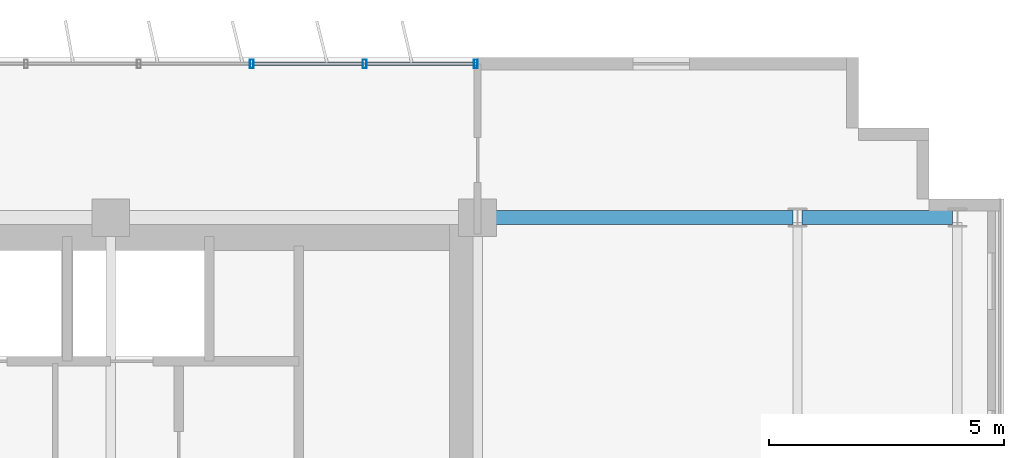
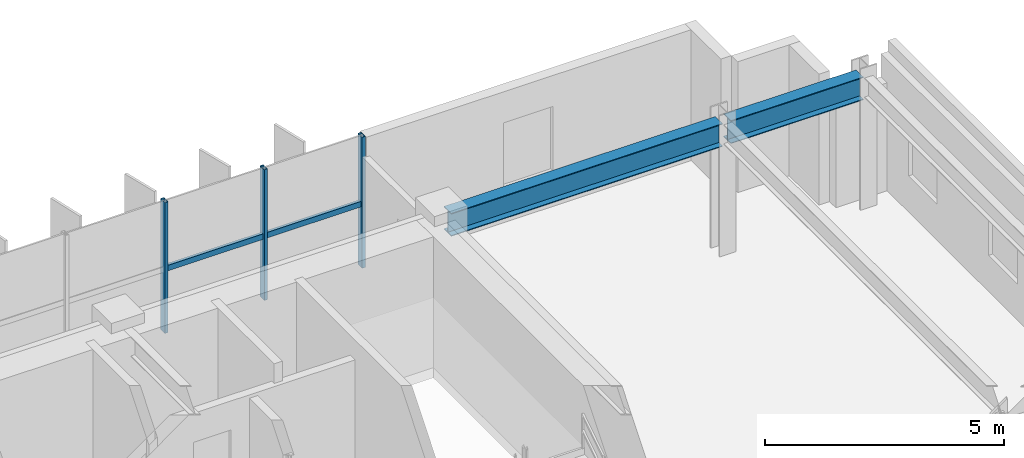
# One storey, part 11 of 21: 5 members, 2 beams, 1 element without a shape of its own.
"""IFC4 building model written with IfcOpenShell, lengths in metres."""

from ifc_helpers import new_model, si_unit, direction, frame, origin, origin_2d, place, context, subcontext, project, spatial, hollow_rectangle, i_section, extrude, source, transform, mapped, material, material_profile, profile_set, type_object, element, aggregate, save


model = new_model("IFC4")

# Units and contexts
model_context = context("Model", 3, precision=1e-05, world=origin(), true_north=direction((0.0, 1.0)))
body_context = subcontext(model_context, "Body", "Model", "MODEL_VIEW")
ifc_project = project(units=[si_unit("LENGTHUNIT", "METRE"), si_unit("AREAUNIT", "SQUARE_METRE"), si_unit("VOLUMEUNIT", "CUBIC_METRE"), si_unit("PLANEANGLEUNIT", "RADIAN"), si_unit("MASSUNIT", "GRAM", prefix="KILO")], contexts=[model_context])

# Site, building, storey
site_placement = place(None, origin())
site = spatial("IfcSite", under=ifc_project, at=site_placement, CompositionType="ELEMENT")
building_placement = place(site_placement, origin())
building = spatial("IfcBuilding", under=site, at=building_placement, Name="Trelvane Seafront Commons", CompositionType="ELEMENT")
storey_placement = place(building_placement, frame((0.0, 0.0, 110.5)))
storey = spatial("IfcBuildingStorey", under=building, at=storey_placement, Name="L28", CompositionType="ELEMENT", Elevation=110.5)

# Beams
ifc_material_1 = material(Name="Steel SM355 (S355)", Category="steel")
ifc_material_profile_1 = material_profile(ifc_material_1, i_section(OverallWidth=0.300048828125, OverallDepth=0.587890625, WebThickness=0.011962890625, FlangeThickness=0.02001953125, at=origin_2d()), Name="H-588x300x12x20")
ifc_profile_set_1 = profile_set([ifc_material_profile_1], Name="Steel SM355 (S355)")
beam_type = type_object("IfcBeamType", Name="STR-BM-H588", PredefinedType="BEAM", material=ifc_profile_set_1)
shared_shape_1 = source(origin(), body_context, "Body", "SweptSolid", [
    extrude(i_section(OverallWidth=0.300048828125, OverallDepth=0.587890625, WebThickness=0.011962890625, FlangeThickness=0.02001953125, at=origin_2d()), origin(), (0.0, 0.0, 1.0), 3.199951171875),
])
beam_1_placement = place(storey_placement, frame((65.699951171875, 45.10009765625, 3.0458984375), z_axis=(1.0, 0.0, 0.0), x_axis=(0.0, 1.0, 0.0)))
element("IfcBeam", 1, at=beam_1_placement, inside=storey, type_object=beam_type, Name="L28 Primary Girder G-36", PredefinedType="BEAM", context=body_context, shape_type="MappedRepresentation", body=[
    mapped(shared_shape_1, transform((0.0, 0.0, 0.0), x_axis=(1.0, 0.0, 0.0), y_axis=(0.0, 1.0, 0.0), z_axis=(0.0, 0.0, 1.0), scale=1.0)),
])
shared_shape_2 = source(origin(), body_context, "Body", "SweptSolid", [
    extrude(i_section(OverallWidth=0.300048828125, OverallDepth=0.587890625, WebThickness=0.011962890625, FlangeThickness=0.02001953125, at=origin_2d()), origin(), (0.0, 0.0, 1.0), 6.550048828125),
])
beam_2_placement = place(storey_placement, frame((58.949951171875, 45.10009765625, 3.0458984375), z_axis=(1.0, 0.0, 0.0), x_axis=(0.0, 1.0, 0.0)))
element("IfcBeam", 2, at=beam_2_placement, inside=storey, type_object=beam_type, Name="L28 Primary Girder G-35", PredefinedType="BEAM", context=body_context, shape_type="MappedRepresentation", body=[
    mapped(shared_shape_2, transform((0.0, 0.0, 0.0), x_axis=(1.0, 0.0, 0.0), y_axis=(0.0, 1.0, 0.0), z_axis=(0.0, 0.0, 1.0), scale=1.0)),
])

# Curtain wall, members
ifc_material_2 = material(Name="Anodised pale-silver aluminium", Category="aluminium")
curtain_wall_type = type_object("IfcCurtainWallType", Name="ARCH-CW4-SKYLOBBY", PredefinedType="NOTDEFINED", material=ifc_material_2)
curtain_wall_placement = place(storey_placement, origin())
curtain_wall = element("IfcCurtainWall", 3, at=curtain_wall_placement, inside=storey, type_object=curtain_wall_type, Name="CW-L28-0053", PredefinedType="NOTDEFINED")
ifc_material_profile_2 = material_profile(ifc_material_2, hollow_rectangle(XDim=0.074951171875, YDim=0.139892578125, WallThickness=0.00390625, at=origin_2d()), Name="TRAN-75x140x4")
ifc_profile_set_2 = profile_set([ifc_material_profile_2], Name="Anodised pale-silver aluminium")
member_type_1 = type_object("IfcMemberType", Name="ARCH-CW-TRAN-140", PredefinedType="USERDEFINED", material=ifc_profile_set_2)
shared_shape_3 = source(origin(), body_context, "Body", "SweptSolid", [
    extrude(hollow_rectangle(XDim=0.074951171875, YDim=0.139892578125, WallThickness=0.00390625, at=origin_2d()), origin(), (0.0, 0.0, 1.0), 2.3759765625),
])
member_1_placement = place(storey_placement, frame((54.011962890625, 48.3701171875, 1.60302734375), z_axis=(1.0, 0.0, 0.0), x_axis=(0.0, 1.0, 0.0)))
member_1 = element("IfcMember", 4, at=member_1_placement, type_object=member_type_1, Name="CW-L28-0053-T16", ObjectType="TRANSOM", PredefinedType="USERDEFINED", context=body_context, shape_type="MappedRepresentation", body=[
    mapped(shared_shape_3, transform((0.0, 0.0, 0.0), x_axis=(1.0, 0.0, 0.0), y_axis=(0.0, 1.0, 0.0), z_axis=(0.0, 0.0, 1.0), scale=1.0)),
])
member_2_placement = place(storey_placement, frame((56.412109375, 48.3701171875, 1.60302734375), z_axis=(1.0, 0.0, 0.0), x_axis=(0.0, 1.0, 0.0)))
member_2 = element("IfcMember", 5, at=member_2_placement, type_object=member_type_1, Name="CW-L28-0053-T17", ObjectType="TRANSOM", PredefinedType="USERDEFINED", context=body_context, shape_type="MappedRepresentation", body=[
    mapped(shared_shape_3, transform((0.0, 0.0, 0.0), x_axis=(1.0, 0.0, 0.0), y_axis=(0.0, 1.0, 0.0), z_axis=(0.0, 0.0, 1.0), scale=1.0)),
])
ifc_material_profile_3 = material_profile(ifc_material_2, hollow_rectangle(XDim=0.080078125, YDim=0.179931640625, WallThickness=0.00439453125, at=origin_2d()), Name="MULL-80x180x4.5")
ifc_profile_set_3 = profile_set([ifc_material_profile_3], Name="Anodised pale-silver aluminium")
member_type_2 = type_object("IfcMemberType", Name="ARCH-CW-MULL-180", PredefinedType="MULLION", material=ifc_profile_set_3)
shared_shape_4 = source(origin(), body_context, "Body", "SweptSolid", [
    extrude(hollow_rectangle(XDim=0.080078125, YDim=0.179931640625, WallThickness=0.00439453125, at=origin_2d()), origin(), (0.0, 0.0, 1.0), 3.340087890625),
])
member_3_placement = place(storey_placement, frame((54.0, 48.3701171875, 0.0), z_axis=(0.0, 0.0, 1.0), x_axis=(1.0, 0.0, 0.0)))
member_3 = element("IfcMember", 6, at=member_3_placement, type_object=member_type_2, Name="CW-L28-0053-M16", PredefinedType="MULLION", context=body_context, shape_type="MappedRepresentation", body=[
    mapped(shared_shape_4, transform((0.0, 0.0, 0.0), x_axis=(1.0, 0.0, 0.0), y_axis=(0.0, 1.0, 0.0), z_axis=(0.0, 0.0, 1.0), scale=1.0)),
])
member_4_placement = place(storey_placement, frame((56.39990234375, 48.3701171875, 0.0), z_axis=(0.0, 0.0, 1.0), x_axis=(1.0, 0.0, 0.0)))
member_4 = element("IfcMember", 7, at=member_4_placement, type_object=member_type_2, Name="CW-L28-0053-M17", PredefinedType="MULLION", context=body_context, shape_type="MappedRepresentation", body=[
    mapped(shared_shape_4, transform((0.0, 0.0, 0.0), x_axis=(1.0, 0.0, 0.0), y_axis=(0.0, 1.0, 0.0), z_axis=(0.0, 0.0, 1.0), scale=1.0)),
])
member_5_placement = place(storey_placement, frame((58.760009765625, 48.3701171875, 0.0), z_axis=(0.0, 0.0, 1.0), x_axis=(1.0, 0.0, 0.0)))
member_5 = element("IfcMember", 8, at=member_5_placement, type_object=member_type_2, Name="CW-L28-0053-M18", PredefinedType="MULLION", context=body_context, shape_type="MappedRepresentation", body=[
    mapped(shared_shape_4, transform((0.0, 0.0, 0.0), x_axis=(1.0, 0.0, 0.0), y_axis=(0.0, 1.0, 0.0), z_axis=(0.0, 0.0, 1.0), scale=1.0)),
])
aggregate(curtain_wall, [member_3, member_4, member_5, member_1, member_2])

save(model, "model.ifc")
